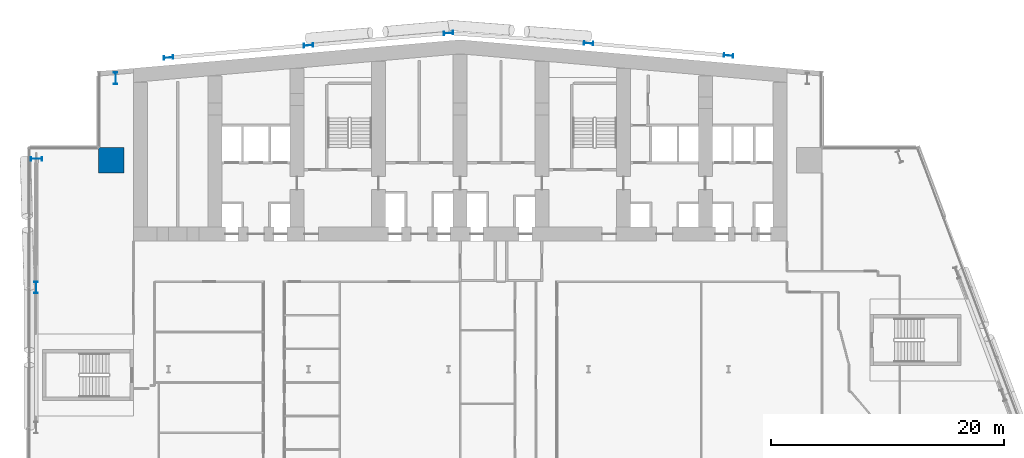
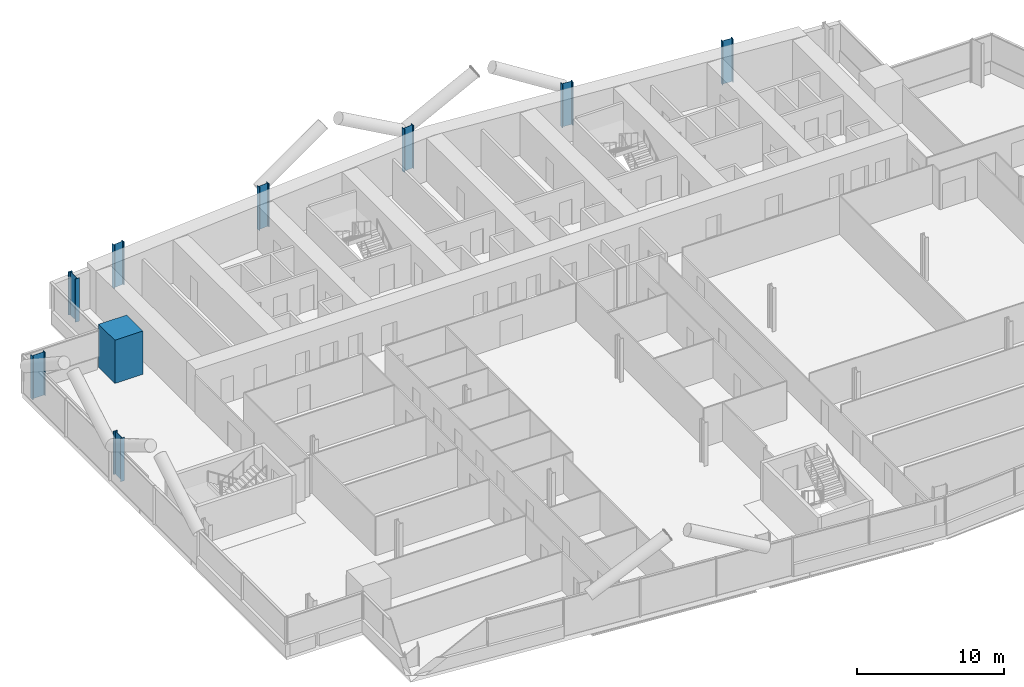
# One storey, part 2 of 27: 9 columns.
"""IFC4 building model written with IfcOpenShell, lengths in metres."""

from ifc_helpers import new_model, si_unit, direction, frame, origin, origin_2d, place, context, subcontext, project, spatial, rectangle, i_section, extrude, material, material_profile, profile_set, type_object, element, save


model = new_model("IFC4")

# Units and contexts
model_context = context("Model", 3, precision=1e-05, world=origin(), true_north=direction((0.0, 1.0)))
body_context = subcontext(model_context, "Body", "Model", "MODEL_VIEW")
ifc_project = project(units=[si_unit("LENGTHUNIT", "METRE"), si_unit("AREAUNIT", "SQUARE_METRE"), si_unit("VOLUMEUNIT", "CUBIC_METRE"), si_unit("PLANEANGLEUNIT", "RADIAN"), si_unit("MASSUNIT", "GRAM", prefix="KILO")], contexts=[model_context])

# Site, building, storey
site_placement = place(None, origin())
site = spatial("IfcSite", under=ifc_project, at=site_placement, CompositionType="ELEMENT")
building_placement = place(site_placement, origin())
building = spatial("IfcBuilding", under=site, at=building_placement, Name="Wharfspan Tower", CompositionType="ELEMENT")
storey_placement = place(building_placement, frame((0.0, 0.0, 81.100098)))
storey = spatial("IfcBuildingStorey", under=building, at=storey_placement, Name="L17", CompositionType="ELEMENT", Elevation=81.100098)

# Columns
ifc_material_1 = material(Name="Steel S355J2", Category="steel")
ifc_material_profile_1 = material_profile(ifc_material_1, i_section(OverallWidth=0.302002, OverallDepth=1.008057, WebThickness=0.020996, FlangeThickness=0.040039, FilletRadius=0.030029, at=origin_2d()))
ifc_profile_set_1 = profile_set([ifc_material_profile_1], Name="Steel S355J2")
column_type_1 = type_object("IfcColumnType", Name="Column HEM 1000", PredefinedType="COLUMN", material=ifc_profile_set_1)
for number, where, z_axis, x_axis, name in (
    (1, (7.466553, 47.933594, 0.0), (0.0, 0.0, 1.0), (-1.0, 0.0, 0.0), "Perimeter column PNRW-V.1 L17"),
    (2, (0.684814, 41.03418, 0.0), (0.0, 0.0, 1.0), (0.0, 1.0, 0.0), "Perimeter column PNRW-H.1 L17"),
    (3, (0.659912, 30.0, 0.0), (0.0, 0.0, 1.0), (-1.0, 0.0, 0.0), "Perimeter column PW.1 L17"),
):
    element("IfcColumn", number, at=place(storey_placement, frame(where, z_axis=z_axis, x_axis=x_axis)), inside=storey, type_object=column_type_1, Name=name, PredefinedType="COLUMN", context=body_context, shape_type="SweptSolid", body=[
        extrude(i_section(OverallWidth=0.302002, OverallDepth=1.008057, WebThickness=0.020996, FlangeThickness=0.040039, FilletRadius=0.030029, at=origin_2d()), origin(), (0.0, 0.0, 1.0), 3.599854),
    ])
ifc_material_profile_2 = material_profile(ifc_material_1, i_section(OverallWidth=0.302979, OverallDepth=0.813965, WebThickness=0.020996, FlangeThickness=0.040039, FilletRadius=0.030029, at=origin_2d()))
ifc_profile_set_2 = profile_set([ifc_material_profile_2], Name="Steel S355J2")
column_type_2 = type_object("IfcColumnType", Name="Column HEM 800", PredefinedType="COLUMN", material=ifc_profile_set_2)
for number, where, z_axis, x_axis, name in (
    (4, (12.0, 49.709961, 0.0), (0.0, 0.0, 1.0), (-0.087156, 0.996197, 0.0), "Rear column R.1 L17"),
    (5, (24.0, 50.759766, 0.0), (0.0, 0.0, 1.0), (-0.087156, 0.996197, 0.0), "Rear column R.2 L17"),
    (6, (36.0, 51.80957, 0.0), (0.0, 0.0, 1.0), (-0.087156, 0.996197, 0.0), "Rear column R.3 L17"),
    (7, (48.0, 50.934814, 0.0), (0.0, 0.0, 1.0), (0.087156, 0.996197, 0.0), "Rear column R.4 L17"),
    (8, (60.0, 49.884766, 0.0), (0.0, 0.0, 1.0), (0.087156, 0.996197, 0.0), "Rear column R.5 L17"),
):
    element("IfcColumn", number, at=place(storey_placement, frame(where, z_axis=z_axis, x_axis=x_axis)), inside=storey, type_object=column_type_2, Name=name, PredefinedType="COLUMN", context=body_context, shape_type="SweptSolid", body=[
        extrude(i_section(OverallWidth=0.302979, OverallDepth=0.813965, WebThickness=0.020996, FlangeThickness=0.040039, FilletRadius=0.030029, at=origin_2d()), origin(), (0.0, 0.0, 1.0), 3.599854),
    ])
ifc_material_2 = material(Name="Concrete C70/85", Category="concrete")
ifc_material_profile_3 = material_profile(ifc_material_2, rectangle(XDim=2.199951, YDim=2.199951, at=origin_2d()))
ifc_profile_set_3 = profile_set([ifc_material_profile_3], Name="Concrete C70/85")
column_type_3 = type_object("IfcColumnType", Name="Mega column 2200 C70/85", PredefinedType="COLUMN", material=ifc_profile_set_3)
column_placement = place(storey_placement, frame((7.100098, 40.899902, 0.0), z_axis=(0.0, 0.0, 1.0), x_axis=(1.0, 0.0, 0.0)))
element("IfcColumn", 9, at=column_placement, inside=storey, type_object=column_type_3, Name="Mega column MC2 L17", PredefinedType="COLUMN", context=body_context, shape_type="SweptSolid", body=[
    extrude(rectangle(XDim=2.199951, YDim=2.199951, at=origin_2d()), origin(), (0.0, 0.0, 1.0), 3.599854),
])

save(model, "model.ifc")
